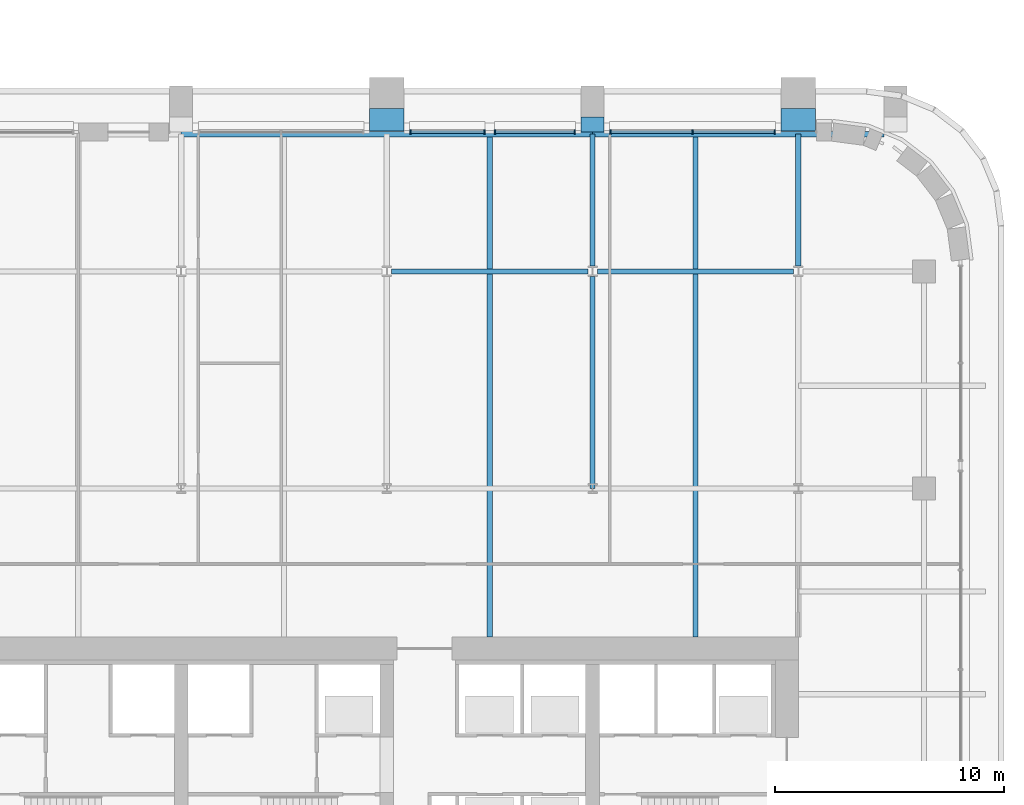
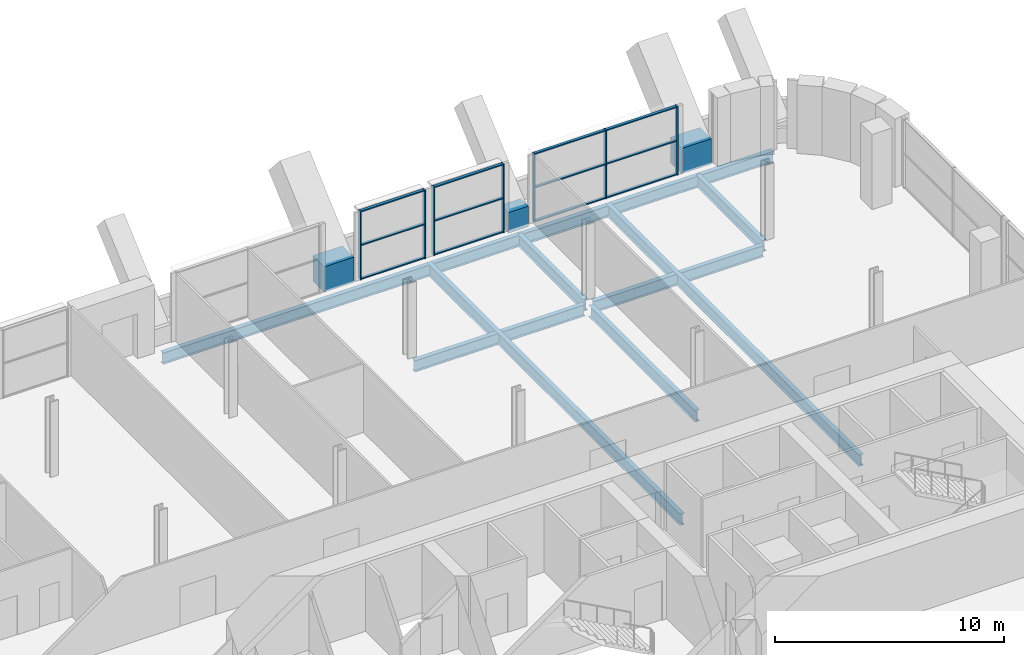
# One storey, part 10 of 26: 19 members, 12 beams, 3 elements without a shape of their own.
"""IFC4 building model written with IfcOpenShell, lengths in metres."""

from ifc_helpers import new_model, si_unit, direction, frame, origin, origin_2d, place, context, subcontext, project, spatial, rectangle, i_section, extrude, material, material_profile, profile_set, type_object, element, aggregate, save


model = new_model("IFC4")

# Units and contexts
model_context = context("Model", 3, precision=1e-05, world=origin(), true_north=direction((0.0, 1.0)))
body_context = subcontext(model_context, "Body", "Model", "MODEL_VIEW")
ifc_project = project(units=[si_unit("LENGTHUNIT", "METRE"), si_unit("AREAUNIT", "SQUARE_METRE"), si_unit("VOLUMEUNIT", "CUBIC_METRE"), si_unit("PLANEANGLEUNIT", "RADIAN"), si_unit("MASSUNIT", "GRAM", prefix="KILO")], contexts=[model_context])

# Site, building, storey
site_placement = place(None, origin())
site = spatial("IfcSite", under=ifc_project, at=site_placement, CompositionType="ELEMENT")
building_placement = place(site_placement, origin())
building = spatial("IfcBuilding", under=site, at=building_placement, Name="Zellij Exchange Tower", CompositionType="ELEMENT")
storey_placement = place(building_placement, frame((0.0, 0.0, 156.5)))
storey = spatial("IfcBuildingStorey", under=building, at=storey_placement, Name="L35", CompositionType="ELEMENT", Elevation=156.5)

# Curtain wall, members
ifc_material_1 = material(Name="Aluminium frame, clear insulating glass", Category="aluminium")
curtain_wall_type = type_object("IfcCurtainWallType", Name="ENV-CW6 Sky-lobby glazing", PredefinedType="NOTDEFINED", material=ifc_material_1)
curtain_wall_1_placement = place(storey_placement, origin())
curtain_wall_1 = element("IfcCurtainWall", 1, at=curtain_wall_1_placement, inside=storey, type_object=curtain_wall_type, Name="cw.L35.14b", PredefinedType="NOTDEFINED")
ifc_material_2 = material(Name="Aluminium", Category="aluminium")
ifc_material_profile_1 = material_profile(ifc_material_2, rectangle(XDim=0.06005859375, YDim=0.199951171875, at=origin_2d()), Name="AL 60x200")
ifc_profile_set_1 = profile_set([ifc_material_profile_1], Name="Aluminium")
member_type_1 = type_object("IfcMemberType", Name="ENV-CW6M Mullion 60x200", PredefinedType="MULLION", material=ifc_profile_set_1)
member_1_placement = place(storey_placement, frame((25.969970703125, 20.10009765625, 0.0), z_axis=(0.0, 0.0, 1.0), x_axis=(-1.0, 0.0, 0.0)))
member_1 = element("IfcMember", 2, at=member_1_placement, type_object=member_type_1, Name="CW6 mullion 1", PredefinedType="MULLION", context=body_context, shape_type="SweptSolid", body=[
    extrude(rectangle(XDim=0.06005859375, YDim=0.199951171875, at=origin_2d()), origin(), (0.0, 0.0, 1.0), 3.64990234375),
])
member_2_placement = place(storey_placement, frame((22.375, 20.10009765625, 0.0), z_axis=(0.0, 0.0, 1.0), x_axis=(-1.0, 0.0, 0.0)))
member_2 = element("IfcMember", 3, at=member_2_placement, type_object=member_type_1, Name="CW6 mullion 2", PredefinedType="MULLION", context=body_context, shape_type="SweptSolid", body=[
    extrude(rectangle(XDim=0.06005859375, YDim=0.199951171875, at=origin_2d()), origin(), (0.0, 0.0, 1.0), 3.64990234375),
])
member_3_placement = place(storey_placement, frame((18.780029296875, 20.10009765625, 0.0), z_axis=(0.0, 0.0, 1.0), x_axis=(-1.0, 0.0, 0.0)))
member_3 = element("IfcMember", 4, at=member_3_placement, type_object=member_type_1, Name="CW6 mullion 3", PredefinedType="MULLION", context=body_context, shape_type="SweptSolid", body=[
    extrude(rectangle(XDim=0.06005859375, YDim=0.199951171875, at=origin_2d()), origin(), (0.0, 0.0, 1.0), 3.64990234375),
])

curtain_wall_2_placement = place(storey_placement, origin())
curtain_wall_2 = element("IfcCurtainWall", 5, at=curtain_wall_2_placement, inside=storey, type_object=curtain_wall_type, Name="cw.L35.14c", PredefinedType="NOTDEFINED")
member_4_placement = place(storey_placement, frame((17.219970703125, 20.10009765625, 0.0), z_axis=(0.0, 0.0, 1.0), x_axis=(-1.0, 0.0, 0.0)))
member_4 = element("IfcMember", 6, at=member_4_placement, type_object=member_type_1, Name="CW6 mullion 1", PredefinedType="MULLION", context=body_context, shape_type="SweptSolid", body=[
    extrude(rectangle(XDim=0.06005859375, YDim=0.199951171875, at=origin_2d()), origin(), (0.0, 0.0, 1.0), 3.64990234375),
])
member_5_placement = place(storey_placement, frame((13.72998046875, 20.10009765625, 0.0), z_axis=(0.0, 0.0, 1.0), x_axis=(-1.0, 0.0, 0.0)))
member_5 = element("IfcMember", 7, at=member_5_placement, type_object=member_type_1, Name="CW6 mullion 2", PredefinedType="MULLION", context=body_context, shape_type="SweptSolid", body=[
    extrude(rectangle(XDim=0.06005859375, YDim=0.199951171875, at=origin_2d()), origin(), (0.0, 0.0, 1.0), 3.64990234375),
])

curtain_wall_3_placement = place(storey_placement, origin())
curtain_wall_3 = element("IfcCurtainWall", 8, at=curtain_wall_3_placement, inside=storey, type_object=curtain_wall_type, Name="cw.L35.14d", PredefinedType="NOTDEFINED")
member_6_placement = place(storey_placement, frame((13.27001953125, 20.10009765625, 0.0), z_axis=(0.0, 0.0, 1.0), x_axis=(-1.0, 0.0, 0.0)))
member_6 = element("IfcMember", 9, at=member_6_placement, type_object=member_type_1, Name="CW6 mullion 1", PredefinedType="MULLION", context=body_context, shape_type="SweptSolid", body=[
    extrude(rectangle(XDim=0.06005859375, YDim=0.199951171875, at=origin_2d()), origin(), (0.0, 0.0, 1.0), 3.64990234375),
])
member_7_placement = place(storey_placement, frame((10.030029296875, 20.10009765625, 0.0), z_axis=(0.0, 0.0, 1.0), x_axis=(-1.0, 0.0, 0.0)))
member_7 = element("IfcMember", 10, at=member_7_placement, type_object=member_type_1, Name="CW6 mullion 2", PredefinedType="MULLION", context=body_context, shape_type="SweptSolid", body=[
    extrude(rectangle(XDim=0.06005859375, YDim=0.199951171875, at=origin_2d()), origin(), (0.0, 0.0, 1.0), 3.64990234375),
])

# Member
ifc_material_profile_2 = material_profile(ifc_material_2, rectangle(XDim=0.139892578125, YDim=0.06005859375, at=origin_2d()), Name="AL 140x60")
ifc_profile_set_2 = profile_set([ifc_material_profile_2], Name="Aluminium")
member_type_2 = type_object("IfcMemberType", Name="ENV-CW6T Transom 140x60", PredefinedType="USERDEFINED", material=ifc_profile_set_2)
member_8_placement = place(storey_placement, frame((25.93994140625, 20.10009765625, 0.030029296875), z_axis=(-1.0, 0.0, 0.0), x_axis=(0.0, -1.0, 0.0)))
member_8 = element("IfcMember", 11, at=member_8_placement, type_object=member_type_2, Name="CW6 transom 1.1", ObjectType="TRANSOM", PredefinedType="USERDEFINED", context=body_context, shape_type="SweptSolid", body=[
    extrude(rectangle(XDim=0.139892578125, YDim=0.06005859375, at=origin_2d()), origin(), (0.0, 0.0, 1.0), 3.534912109375),
])

member_9_placement = place(storey_placement, frame((25.93994140625, 20.10009765625, 1.824951171875), z_axis=(-1.0, 0.0, 0.0), x_axis=(0.0, -1.0, 0.0)))
member_9 = element("IfcMember", 12, at=member_9_placement, type_object=member_type_2, Name="CW6 transom 1.2", ObjectType="TRANSOM", PredefinedType="USERDEFINED", context=body_context, shape_type="SweptSolid", body=[
    extrude(rectangle(XDim=0.139892578125, YDim=0.06005859375, at=origin_2d()), origin(), (0.0, 0.0, 1.0), 3.534912109375),
])

member_10_placement = place(storey_placement, frame((25.93994140625, 20.10009765625, 3.6201171875), z_axis=(-1.0, 0.0, 0.0), x_axis=(0.0, -1.0, 0.0)))
member_10 = element("IfcMember", 13, at=member_10_placement, type_object=member_type_2, Name="CW6 transom 1.3", ObjectType="TRANSOM", PredefinedType="USERDEFINED", context=body_context, shape_type="SweptSolid", body=[
    extrude(rectangle(XDim=0.139892578125, YDim=0.06005859375, at=origin_2d()), origin(), (0.0, 0.0, 1.0), 3.534912109375),
])

member_11_placement = place(storey_placement, frame((22.344970703125, 20.10009765625, 0.030029296875), z_axis=(-1.0, 0.0, 0.0), x_axis=(0.0, -1.0, 0.0)))
member_11 = element("IfcMember", 14, at=member_11_placement, type_object=member_type_2, Name="CW6 transom 2.1", ObjectType="TRANSOM", PredefinedType="USERDEFINED", context=body_context, shape_type="SweptSolid", body=[
    extrude(rectangle(XDim=0.139892578125, YDim=0.06005859375, at=origin_2d()), origin(), (0.0, 0.0, 1.0), 3.534912109375),
])

member_12_placement = place(storey_placement, frame((22.344970703125, 20.10009765625, 1.824951171875), z_axis=(-1.0, 0.0, 0.0), x_axis=(0.0, -1.0, 0.0)))
member_12 = element("IfcMember", 15, at=member_12_placement, type_object=member_type_2, Name="CW6 transom 2.2", ObjectType="TRANSOM", PredefinedType="USERDEFINED", context=body_context, shape_type="SweptSolid", body=[
    extrude(rectangle(XDim=0.139892578125, YDim=0.06005859375, at=origin_2d()), origin(), (0.0, 0.0, 1.0), 3.534912109375),
])

member_13_placement = place(storey_placement, frame((22.344970703125, 20.10009765625, 3.6201171875), z_axis=(-1.0, 0.0, 0.0), x_axis=(0.0, -1.0, 0.0)))
member_13 = element("IfcMember", 16, at=member_13_placement, type_object=member_type_2, Name="CW6 transom 2.3", ObjectType="TRANSOM", PredefinedType="USERDEFINED", context=body_context, shape_type="SweptSolid", body=[
    extrude(rectangle(XDim=0.139892578125, YDim=0.06005859375, at=origin_2d()), origin(), (0.0, 0.0, 1.0), 3.534912109375),
])

aggregate(curtain_wall_1, [member_1, member_2, member_3, member_8, member_9, member_10, member_11, member_12, member_13])

member_14_placement = place(storey_placement, frame((17.18994140625, 20.10009765625, 0.030029296875), z_axis=(-1.0, 0.0, 0.0), x_axis=(0.0, -1.0, 0.0)))
member_14 = element("IfcMember", 17, at=member_14_placement, type_object=member_type_2, Name="CW6 transom 1.1", ObjectType="TRANSOM", PredefinedType="USERDEFINED", context=body_context, shape_type="SweptSolid", body=[
    extrude(rectangle(XDim=0.139892578125, YDim=0.06005859375, at=origin_2d()), origin(), (0.0, 0.0, 1.0), 3.429931640625),
])

member_15_placement = place(storey_placement, frame((17.18994140625, 20.10009765625, 1.824951171875), z_axis=(-1.0, 0.0, 0.0), x_axis=(0.0, -1.0, 0.0)))
member_15 = element("IfcMember", 18, at=member_15_placement, type_object=member_type_2, Name="CW6 transom 1.2", ObjectType="TRANSOM", PredefinedType="USERDEFINED", context=body_context, shape_type="SweptSolid", body=[
    extrude(rectangle(XDim=0.139892578125, YDim=0.06005859375, at=origin_2d()), origin(), (0.0, 0.0, 1.0), 3.429931640625),
])

member_16_placement = place(storey_placement, frame((17.18994140625, 20.10009765625, 3.6201171875), z_axis=(-1.0, 0.0, 0.0), x_axis=(0.0, -1.0, 0.0)))
member_16 = element("IfcMember", 19, at=member_16_placement, type_object=member_type_2, Name="CW6 transom 1.3", ObjectType="TRANSOM", PredefinedType="USERDEFINED", context=body_context, shape_type="SweptSolid", body=[
    extrude(rectangle(XDim=0.139892578125, YDim=0.06005859375, at=origin_2d()), origin(), (0.0, 0.0, 1.0), 3.429931640625),
])

aggregate(curtain_wall_2, [member_4, member_5, member_14, member_15, member_16])

member_17_placement = place(storey_placement, frame((13.239990234375, 20.10009765625, 0.030029296875), z_axis=(-1.0, 0.0, 0.0), x_axis=(0.0, -1.0, 0.0)))
member_17 = element("IfcMember", 20, at=member_17_placement, type_object=member_type_2, Name="CW6 transom 1.1", ObjectType="TRANSOM", PredefinedType="USERDEFINED", context=body_context, shape_type="SweptSolid", body=[
    extrude(rectangle(XDim=0.139892578125, YDim=0.06005859375, at=origin_2d()), origin(), (0.0, 0.0, 1.0), 3.179931640625),
])

member_18_placement = place(storey_placement, frame((13.239990234375, 20.10009765625, 1.824951171875), z_axis=(-1.0, 0.0, 0.0), x_axis=(0.0, -1.0, 0.0)))
member_18 = element("IfcMember", 21, at=member_18_placement, type_object=member_type_2, Name="CW6 transom 1.2", ObjectType="TRANSOM", PredefinedType="USERDEFINED", context=body_context, shape_type="SweptSolid", body=[
    extrude(rectangle(XDim=0.139892578125, YDim=0.06005859375, at=origin_2d()), origin(), (0.0, 0.0, 1.0), 3.179931640625),
])

member_19_placement = place(storey_placement, frame((13.239990234375, 20.10009765625, 3.6201171875), z_axis=(-1.0, 0.0, 0.0), x_axis=(0.0, -1.0, 0.0)))
member_19 = element("IfcMember", 22, at=member_19_placement, type_object=member_type_2, Name="CW6 transom 1.3", ObjectType="TRANSOM", PredefinedType="USERDEFINED", context=body_context, shape_type="SweptSolid", body=[
    extrude(rectangle(XDim=0.139892578125, YDim=0.06005859375, at=origin_2d()), origin(), (0.0, 0.0, 1.0), 3.179931640625),
])

aggregate(curtain_wall_3, [member_6, member_7, member_17, member_18, member_19])

# Beams
ifc_material_3 = material(Name="Structural steel ASTM A992 Gr 50", Category="steel")
ifc_material_profile_3 = material_profile(ifc_material_3, i_section(OverallWidth=0.227783203125, OverallDepth=0.60205078125, WebThickness=0.010498046875, FlangeThickness=0.014892578125, at=origin_2d()), Name="W24x68")
ifc_profile_set_3 = profile_set([ifc_material_profile_3], Name="Structural steel ASTM A992 Gr 50")
beam_type_1 = type_object("IfcBeamType", Name="STR-BEAM W24x68", PredefinedType="BEAM", material=ifc_profile_set_3)
for number, where, z_axis, x_axis, name in (
    (23, (13.5, -2.0, -0.60107421875), (0.0, 1.0, 0.0), (-1.0, 0.0, 0.0), "B5"),
    (24, (22.5, -2.0, -0.60107421875), (0.0, 1.0, 0.0), (-1.0, 0.0, 0.0), "B5"),
):
    element("IfcBeam", number, at=place(storey_placement, frame(where, z_axis=z_axis, x_axis=x_axis)), inside=storey, type_object=beam_type_1, Name=name, PredefinedType="BEAM", context=body_context, shape_type="SweptSolid", body=[
        extrude(i_section(OverallWidth=0.227783203125, OverallDepth=0.60205078125, WebThickness=0.010498046875, FlangeThickness=0.014892578125, at=origin_2d()), origin(), (0.0, 0.0, 1.0), 22.114501953125),
    ])
ifc_material_profile_4 = material_profile(ifc_material_3, i_section(OverallWidth=0.22900390625, OverallDepth=0.612060546875, WebThickness=0.011962890625, FlangeThickness=0.01953125, at=origin_2d()), Name="W24x84")
ifc_profile_set_4 = profile_set([ifc_material_profile_4], Name="Structural steel ASTM A992 Gr 50")
beam_type_2 = type_object("IfcBeamType", Name="STR-GIRDER W24x84", PredefinedType="BEAM", material=ifc_profile_set_4)
for number, where, z_axis, x_axis, name in (
    (25, (9.209716796875, 14.0, -0.606201171875), (1.0, 0.0, 0.0), (0.0, 1.0, 0.0), "G4"),
    (26, (18.209716796875, 14.0, -0.606201171875), (1.0, 0.0, 0.0), (0.0, 1.0, 0.0), "G4"),
):
    element("IfcBeam", number, at=place(storey_placement, frame(where, z_axis=z_axis, x_axis=x_axis)), inside=storey, type_object=beam_type_2, Name=name, PredefinedType="BEAM", context=body_context, shape_type="SweptSolid", body=[
        extrude(i_section(OverallWidth=0.22900390625, OverallDepth=0.612060546875, WebThickness=0.011962890625, FlangeThickness=0.01953125, at=origin_2d()), origin(), (0.0, 0.0, 1.0), 8.58056640625),
    ])
beam_1_placement = place(storey_placement, frame((0.0, 20.0, -0.606201171875), z_axis=(1.0, 0.0, 0.0), x_axis=(0.0, 1.0, 0.0)))
element("IfcBeam", 27, at=beam_1_placement, inside=storey, type_object=beam_type_2, Name="G4", PredefinedType="BEAM", context=body_context, shape_type="SweptSolid", body=[
    extrude(i_section(OverallWidth=0.22900390625, OverallDepth=0.612060546875, WebThickness=0.011962890625, FlangeThickness=0.01953125, at=origin_2d()), origin(), (0.0, 0.0, 1.0), 18.0),
])
beam_2_placement = place(storey_placement, frame((18.0, 20.0, -0.606201171875), z_axis=(1.0, 0.0, 0.0), x_axis=(0.0, 1.0, 0.0)))
element("IfcBeam", 28, at=beam_2_placement, inside=storey, type_object=beam_type_2, Name="G4", PredefinedType="BEAM", context=body_context, shape_type="SweptSolid", body=[
    extrude(i_section(OverallWidth=0.22900390625, OverallDepth=0.612060546875, WebThickness=0.011962890625, FlangeThickness=0.01953125, at=origin_2d()), origin(), (0.0, 0.0, 1.0), 12.75),
])
beam_3_placement = place(storey_placement, frame((18.0, 4.5, -0.606201171875), z_axis=(0.0, 1.0, 0.0), x_axis=(-1.0, 0.0, 0.0)))
element("IfcBeam", 29, at=beam_3_placement, inside=storey, type_object=beam_type_2, Name="G4", PredefinedType="BEAM", context=body_context, shape_type="SweptSolid", body=[
    extrude(i_section(OverallWidth=0.22900390625, OverallDepth=0.612060546875, WebThickness=0.011962890625, FlangeThickness=0.01953125, at=origin_2d()), origin(), (0.0, 0.0, 1.0), 9.272705078125),
])
for number, where, z_axis, x_axis, name in (
    (30, (18.0, 14.227294921875, -0.606201171875), (0.0, 1.0, 0.0), (-1.0, 0.0, 0.0), "G4"),
    (31, (27.0, 14.227294921875, -0.606201171875), (0.0, 1.0, 0.0), (-1.0, 0.0, 0.0), "G4"),
):
    element("IfcBeam", number, at=place(storey_placement, frame(where, z_axis=z_axis, x_axis=x_axis)), inside=storey, type_object=beam_type_2, Name=name, PredefinedType="BEAM", context=body_context, shape_type="SweptSolid", body=[
        extrude(i_section(OverallWidth=0.22900390625, OverallDepth=0.612060546875, WebThickness=0.011962890625, FlangeThickness=0.01953125, at=origin_2d()), origin(), (0.0, 0.0, 1.0), 5.772705078125),
    ])
ifc_material_4 = material(Name="Concrete C60/75", Category="concrete")
ifc_material_profile_5 = material_profile(ifc_material_4, rectangle(XDim=1.0, YDim=1.10009765625, at=origin_2d()), Name="STR-KNUCKLE BLOCK RC1000x1100 C60/75")
ifc_profile_set_5 = profile_set([ifc_material_profile_5], Name="Concrete C60/75")
beam_type_3 = type_object("IfcBeamType", Name="STR-KNUCKLE BLOCK RC1000x1100 C60/75", PredefinedType="BEAM", material=ifc_profile_set_5)
beam_4_placement = place(storey_placement, frame((18.0, 20.088134765625, 0.375), z_axis=(0.0, 1.0, 0.0), x_axis=(-1.0, 0.0, 0.0)))
element("IfcBeam", 32, at=beam_4_placement, inside=storey, type_object=beam_type_3, Name="KB3", PredefinedType="BEAM", context=body_context, shape_type="SweptSolid", body=[
    extrude(rectangle(XDim=1.0, YDim=1.10009765625, at=origin_2d()), origin(), (0.0, 0.0, 1.0), 0.66455078125),
])
ifc_material_profile_6 = material_profile(ifc_material_4, rectangle(XDim=1.5, YDim=1.35009765625, at=origin_2d()), Name="STR-KNUCKLE BLOCK RC1500x1350 C60/75")
ifc_profile_set_6 = profile_set([ifc_material_profile_6], Name="Concrete C60/75")
beam_type_4 = type_object("IfcBeamType", Name="STR-KNUCKLE BLOCK RC1500x1350 C60/75", PredefinedType="BEAM", material=ifc_profile_set_6)
for number, where, z_axis, x_axis, name in (
    (33, (9.0, 20.13232421875, 0.574951171875), (0.0, 1.0, 0.0), (-1.0, 0.0, 0.0), "KB8"),
    (34, (27.0, 20.13232421875, 0.574951171875), (0.0, 1.0, 0.0), (-1.0, 0.0, 0.0), "KB8"),
):
    element("IfcBeam", number, at=place(storey_placement, frame(where, z_axis=z_axis, x_axis=x_axis)), inside=storey, type_object=beam_type_4, Name=name, PredefinedType="BEAM", context=body_context, shape_type="SweptSolid", body=[
        extrude(rectangle(XDim=1.5, YDim=1.35009765625, at=origin_2d()), origin(), (0.0, 0.0, 1.0), 0.99658203125),
    ])

save(model, "model.ifc")
